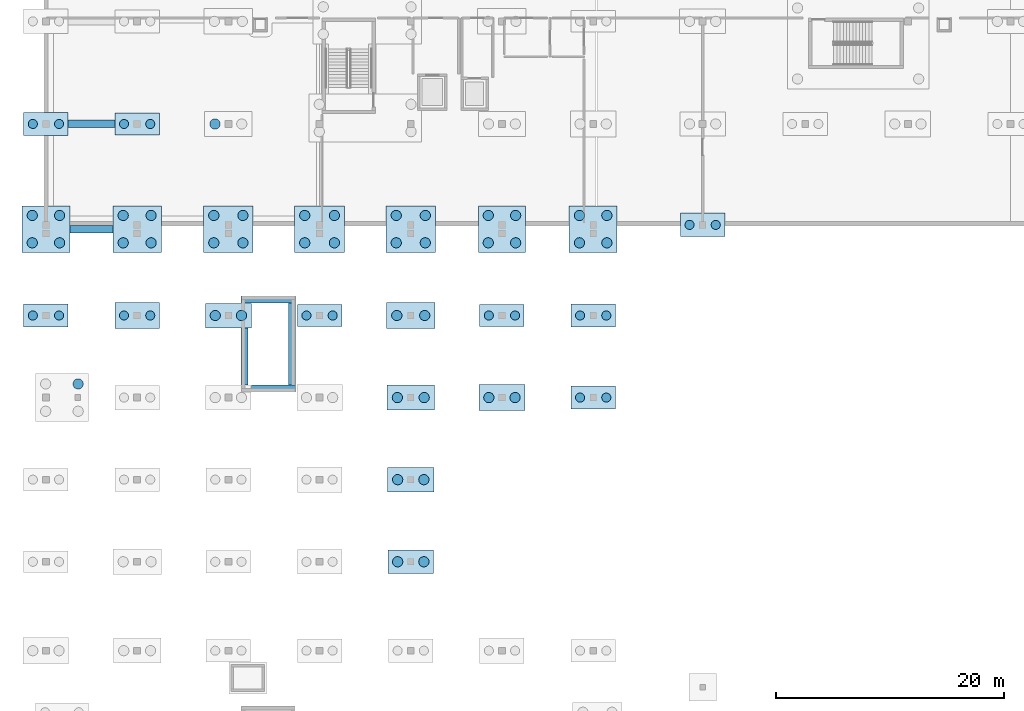
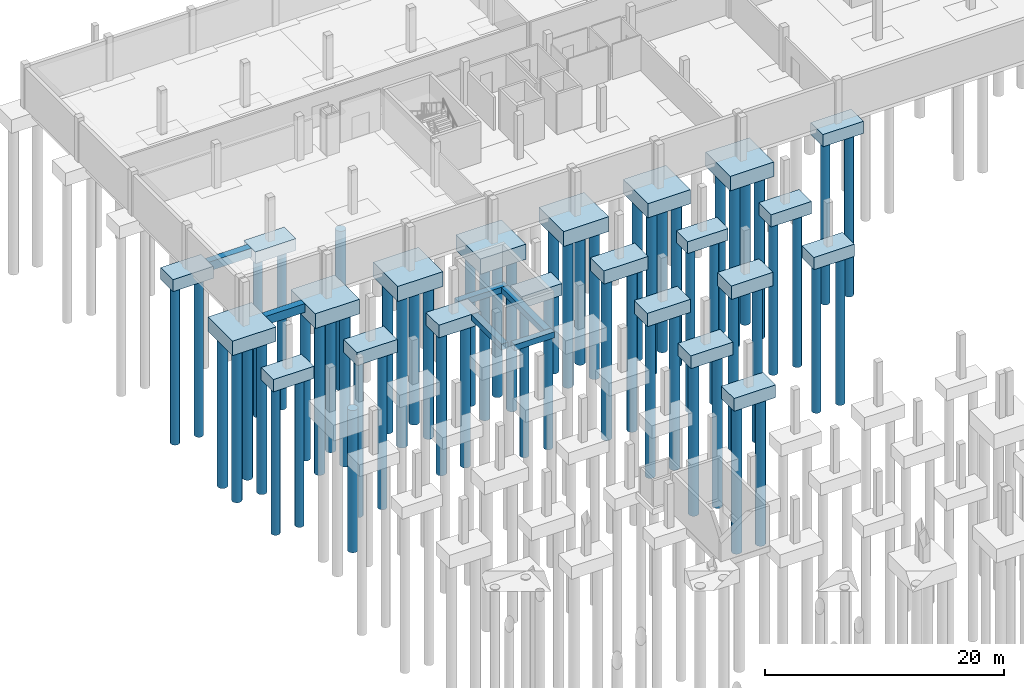
# One storey, part 6 of 36: 60 piles, 28 footings.
"""IFC4 building model written with IfcOpenShell, lengths in metres."""

from ifc_helpers import new_model, si_unit, direction, frame, origin, origin_2d, place, context, subcontext, project, spatial, rectangle, circle, extrude, material, layer, layer_set, material_profile, profile_set, type_object, element, save


model = new_model("IFC4")

# Units and contexts
model_context = context("Model", 3, precision=1e-05, world=origin(), true_north=direction((0.0, 1.0)))
body_context = subcontext(model_context, "Body", "Model", "MODEL_VIEW")
ifc_project = project(units=[si_unit("LENGTHUNIT", "METRE"), si_unit("AREAUNIT", "SQUARE_METRE"), si_unit("VOLUMEUNIT", "CUBIC_METRE"), si_unit("PLANEANGLEUNIT", "RADIAN"), si_unit("MASSUNIT", "GRAM", prefix="KILO")], contexts=[model_context])

# Site, building, storey
site_placement = place(None, origin())
site = spatial("IfcSite", under=ifc_project, at=site_placement, CompositionType="ELEMENT")
building_placement = place(site_placement, origin())
building = spatial("IfcBuilding", under=site, at=building_placement, Name="Chiffa Square Polytechnic", CompositionType="ELEMENT")
storey_placement = place(building_placement, frame((0.0, 0.0, -4.5)))
storey = spatial("IfcBuildingStorey", under=building, at=storey_placement, Name="B1", CompositionType="ELEMENT", Elevation=-4.5)

# Footings
ifc_material = material(Name="Concrete C35/45", Category="concrete")
ifc_layer_1 = layer(ifc_material, 0.885009765625, Name="Concrete C35/45")
ifc_layer_set_1 = layer_set([ifc_layer_1], Name="Concrete C35/45")
footing_type_1 = type_object("IfcFootingType", Name="FTG-BEAM-640X885", PredefinedType="FOOTING_BEAM", material=ifc_layer_set_1)
footing_1_placement = place(storey_placement, frame((3.987060546875, 94.574951171875, -0.88427734375), z_axis=(0.0, 0.0, 1.0), x_axis=(1.0, 0.0, 0.0)))
element("IfcFooting", 1, at=footing_1_placement, inside=storey, type_object=footing_type_1, Name="Footing tie beam FB-B1-046", PredefinedType="FOOTING_BEAM", context=body_context, shape_type="SweptSolid", body=[
    extrude(rectangle(XDim=3.764892578125, YDim=0.639892578125, at=origin_2d()), origin(), (0.0, 0.0, 1.0), 0.885009765625),
])
ifc_layer_2 = layer(ifc_material, 0.909912109375, Name="Concrete C35/45")
ifc_layer_set_2 = layer_set([ifc_layer_2], Name="Concrete C35/45")
footing_type_2 = type_object("IfcFootingType", Name="FTG-BEAM-660X910", PredefinedType="FOOTING_BEAM", material=ifc_layer_set_2)
footing_2_placement = place(storey_placement, frame((4.0, 103.800048828125, -0.91015625), z_axis=(0.0, 0.0, 1.0), x_axis=(1.0, 0.0, 0.0)))
element("IfcFooting", 2, at=footing_2_placement, inside=storey, type_object=footing_type_2, Name="Footing tie beam FB-B1-047", PredefinedType="FOOTING_BEAM", context=body_context, shape_type="SweptSolid", body=[
    extrude(rectangle(XDim=4.090087890625, YDim=0.659912109375, at=origin_2d()), origin(), (0.0, 0.0, 1.0), 0.909912109375),
])
ifc_layer_3 = layer(ifc_material, 0.60009765625, Name="Concrete C35/45")
ifc_layer_set_3 = layer_set([ifc_layer_3], Name="Concrete C35/45")
footing_type_3 = type_object("IfcFootingType", Name="FTG-PAD-3860X620X600", PredefinedType="PAD_FOOTING", material=ifc_layer_set_3)
footing_3_placement = place(storey_placement, frame((19.949951171875, 80.580078125, -0.60009765625), z_axis=(0.0, 0.0, 1.0), x_axis=(1.0, 0.0, 0.0)))
element("IfcFooting", 3, at=footing_3_placement, inside=storey, type_object=footing_type_3, Name="Core pad footing PFG-CORE-CORE-V6B-S1", PredefinedType="PAD_FOOTING", context=body_context, shape_type="SweptSolid", body=[
    extrude(rectangle(XDim=3.860107421875, YDim=0.6201171875, at=origin_2d()), origin(), (0.0, 0.0, 1.0), 0.60009765625),
])
ifc_layer_4 = layer(ifc_material, 0.60009765625, Name="Concrete C35/45")
ifc_layer_set_4 = layer_set([ifc_layer_4], Name="Concrete C35/45")
footing_type_4 = type_object("IfcFootingType", Name="FTG-PAD-4760X620X600", PredefinedType="PAD_FOOTING", material=ifc_layer_set_4)
footing_4_placement = place(storey_placement, frame((19.5, 88.419921875, -0.60009765625), z_axis=(0.0, 0.0, 1.0), x_axis=(1.0, 0.0, 0.0)))
element("IfcFooting", 4, at=footing_4_placement, inside=storey, type_object=footing_type_4, Name="Core pad footing PFG-CORE-CORE-V6B-N1", PredefinedType="PAD_FOOTING", context=body_context, shape_type="SweptSolid", body=[
    extrude(rectangle(XDim=4.760009765625, YDim=0.6201171875, at=origin_2d()), origin(), (0.0, 0.0, 1.0), 0.60009765625),
])
ifc_layer_5 = layer(ifc_material, 0.60009765625, Name="Concrete C35/45")
ifc_layer_set_5 = layer_set([ifc_layer_5], Name="Concrete C35/45")
footing_type_5 = type_object("IfcFootingType", Name="FTG-PAD-620X4995X600", PredefinedType="PAD_FOOTING", material=ifc_layer_set_5)
footing_5_placement = place(storey_placement, frame((17.429931640625, 83.406982421875, -0.60009765625), z_axis=(0.0, 0.0, 1.0), x_axis=(1.0, 0.0, 0.0)))
element("IfcFooting", 5, at=footing_5_placement, inside=storey, type_object=footing_type_5, Name="Core pad footing PFG-CORE-CORE-V6B-W1", PredefinedType="PAD_FOOTING", context=body_context, shape_type="SweptSolid", body=[
    extrude(rectangle(XDim=0.6201171875, YDim=4.9951171875, at=origin_2d()), origin(), (0.0, 0.0, 1.0), 0.60009765625),
])
ifc_layer_6 = layer(ifc_material, 0.60009765625, Name="Concrete C35/45")
ifc_layer_set_6 = layer_set([ifc_layer_6], Name="Concrete C35/45")
footing_type_6 = type_object("IfcFootingType", Name="FTG-PAD-620X7180X600", PredefinedType="PAD_FOOTING", material=ifc_layer_set_6)
footing_6_placement = place(storey_placement, frame((21.570068359375, 84.5, -0.60009765625), z_axis=(0.0, 0.0, 1.0), x_axis=(1.0, 0.0, 0.0)))
element("IfcFooting", 6, at=footing_6_placement, inside=storey, type_object=footing_type_6, Name="Core pad footing PFG-CORE-CORE-V6B-E1", PredefinedType="PAD_FOOTING", context=body_context, shape_type="SweptSolid", body=[
    extrude(rectangle(XDim=0.6201171875, YDim=7.179931640625, at=origin_2d()), origin(), (0.0, 0.0, 1.0), 0.60009765625),
])
ifc_layer_7 = layer(ifc_material, 1.199951171875, Name="Concrete C35/45")
ifc_layer_set_7 = layer_set([ifc_layer_7], Name="Concrete C35/45")
footing_type_7 = type_object("IfcFootingType", Name="FTG-PC-3900X1900X1200", PredefinedType="PILE_CAP", material=ifc_layer_set_7)
for number, where, z_axis, x_axis, name in (
    (7, (24.0, 87.0, -1.2001953125), (0.0, 0.0, 1.0), (1.0, 0.0, 0.0), "Pile cap PC-B1-212"),
    (8, (40.0, 87.0, -1.2001953125), (0.0, 0.0, 1.0), (1.0, 0.0, 0.0), "Pile cap PC-B1-224"),
):
    element("IfcFooting", number, at=place(storey_placement, frame(where, z_axis=z_axis, x_axis=x_axis)), inside=storey, type_object=footing_type_7, Name=name, PredefinedType="PILE_CAP", context=body_context, shape_type="SweptSolid", body=[
        extrude(rectangle(XDim=3.89990234375, YDim=1.89990234375, at=origin_2d()), origin(), (0.0, 0.0, 1.0), 1.199951171875),
    ])
ifc_layer_8 = layer(ifc_material, 1.199951171875, Name="Concrete C35/45")
ifc_layer_set_8 = layer_set([ifc_layer_8], Name="Concrete C35/45")
footing_type_8 = type_object("IfcFootingType", Name="FTG-PC-3900X1950X1200", PredefinedType="PILE_CAP", material=ifc_layer_set_8)
footing_7_placement = place(storey_placement, frame((8.0, 103.800048828125, -1.2001953125), z_axis=(0.0, 0.0, 1.0), x_axis=(1.0, 0.0, 0.0)))
element("IfcFooting", 9, at=footing_7_placement, inside=storey, type_object=footing_type_8, Name="Pile cap PC-B1-118", PredefinedType="PILE_CAP", context=body_context, shape_type="SweptSolid", body=[
    extrude(rectangle(XDim=3.89990234375, YDim=1.949951171875, at=origin_2d()), origin(), (0.0, 0.0, 1.0), 1.199951171875),
])
ifc_layer_9 = layer(ifc_material, 1.25, Name="Concrete C35/45")
ifc_layer_set_9 = layer_set([ifc_layer_9], Name="Concrete C35/45")
footing_type_9 = type_object("IfcFootingType", Name="FTG-PC-3900X2000X1250", PredefinedType="PILE_CAP", material=ifc_layer_set_9)
footing_8_placement = place(storey_placement, frame((48.0, 79.800048828125, -1.25), z_axis=(0.0, 0.0, 1.0), x_axis=(1.0, 0.0, 0.0)))
element("IfcFooting", 10, at=footing_8_placement, inside=storey, type_object=footing_type_9, Name="Pile cap PC-B1-226", PredefinedType="PILE_CAP", context=body_context, shape_type="SweptSolid", body=[
    extrude(rectangle(XDim=3.89990234375, YDim=2.0, at=origin_2d()), origin(), (0.0, 0.0, 1.0), 1.25),
])
ifc_layer_10 = layer(ifc_material, 1.219970703125, Name="Concrete C35/45")
ifc_layer_set_10 = layer_set([ifc_layer_10], Name="Concrete C35/45")
footing_type_10 = type_object("IfcFootingType", Name="FTG-PC-3900X2050X1220", PredefinedType="PILE_CAP", material=ifc_layer_set_10)
footing_9_placement = place(storey_placement, frame((0.0, 103.800048828125, -1.22021484375), z_axis=(0.0, 0.0, 1.0), x_axis=(1.0, 0.0, 0.0)))
element("IfcFooting", 11, at=footing_9_placement, inside=storey, type_object=footing_type_10, Name="Pile cap PC-B1-113", PredefinedType="PILE_CAP", context=body_context, shape_type="SweptSolid", body=[
    extrude(rectangle(XDim=3.89990234375, YDim=2.050048828125, at=origin_2d()), origin(), (0.0, 0.0, 1.0), 1.219970703125),
])
ifc_layer_11 = layer(ifc_material, 1.25, Name="Concrete C35/45")
ifc_layer_set_11 = layer_set([ifc_layer_11], Name="Concrete C35/45")
footing_type_11 = type_object("IfcFootingType", Name="FTG-PC-3900X2050X1250", PredefinedType="PILE_CAP", material=ifc_layer_set_11)
for number, where, z_axis, x_axis, name in (
    (12, (57.60009765625, 94.949951171875, -1.25), (0.0, 0.0, 1.0), (1.0, 0.0, 0.0), "Pile cap PC-B1-144"),
    (13, (0.0, 87.0, -1.25), (0.0, 0.0, 1.0), (1.0, 0.0, 0.0), "Pile cap PC-B1-191"),
    (14, (48.0, 87.0, -1.25), (0.0, 0.0, 1.0), (1.0, 0.0, 0.0), "Pile cap PC-B1-227"),
):
    element("IfcFooting", number, at=place(storey_placement, frame(where, z_axis=z_axis, x_axis=x_axis)), inside=storey, type_object=footing_type_11, Name=name, PredefinedType="PILE_CAP", context=body_context, shape_type="SweptSolid", body=[
        extrude(rectangle(XDim=3.89990234375, YDim=2.050048828125, at=origin_2d()), origin(), (0.0, 0.0, 1.0), 1.25),
    ])
ifc_layer_12 = layer(ifc_material, 1.320068359375, Name="Concrete C35/45")
ifc_layer_set_12 = layer_set([ifc_layer_12], Name="Concrete C35/45")
footing_type_12 = type_object("IfcFootingType", Name="FTG-PC-3900X2250X1320", PredefinedType="PILE_CAP", material=ifc_layer_set_12)
footing_10_placement = place(storey_placement, frame((8.0, 87.0, -1.31982421875), z_axis=(0.0, 0.0, 1.0), x_axis=(1.0, 0.0, 0.0)))
element("IfcFooting", 15, at=footing_10_placement, inside=storey, type_object=footing_type_12, Name="Pile cap PC-B1-198", PredefinedType="PILE_CAP", context=body_context, shape_type="SweptSolid", body=[
    extrude(rectangle(XDim=3.89990234375, YDim=2.25, at=origin_2d()), origin(), (0.0, 0.0, 1.0), 1.320068359375),
])
ifc_layer_13 = layer(ifc_material, 1.300048828125, Name="Concrete C35/45")
ifc_layer_set_13 = layer_set([ifc_layer_13], Name="Concrete C35/45")
footing_type_13 = type_object("IfcFootingType", Name="FTG-PC-4000X2100X1300", PredefinedType="PILE_CAP", material=ifc_layer_set_13)
footing_11_placement = place(storey_placement, frame((32.0, 65.39990234375, -1.2998046875), z_axis=(0.0, 0.0, 1.0), x_axis=(1.0, 0.0, 0.0)))
element("IfcFooting", 16, at=footing_11_placement, inside=storey, type_object=footing_type_13, Name="Pile cap PC-B1-216", PredefinedType="PILE_CAP", context=body_context, shape_type="SweptSolid", body=[
    extrude(rectangle(XDim=4.0, YDim=2.10009765625, at=origin_2d()), origin(), (0.0, 0.0, 1.0), 1.300048828125),
])
ifc_layer_14 = layer(ifc_material, 1.3798828125, Name="Concrete C35/45")
ifc_layer_set_14 = layer_set([ifc_layer_14], Name="Concrete C35/45")
footing_type_14 = type_object("IfcFootingType", Name="FTG-PC-4000X2300X1380", PredefinedType="PILE_CAP", material=ifc_layer_set_14)
footing_12_placement = place(storey_placement, frame((40.0, 79.800048828125, -1.3798828125), z_axis=(0.0, 0.0, 1.0), x_axis=(1.0, 0.0, 0.0)))
element("IfcFooting", 17, at=footing_12_placement, inside=storey, type_object=footing_type_14, Name="Pile cap PC-B1-223", PredefinedType="PILE_CAP", context=body_context, shape_type="SweptSolid", body=[
    extrude(rectangle(XDim=4.0, YDim=2.300048828125, at=origin_2d()), origin(), (0.0, 0.0, 1.0), 1.3798828125),
])
ifc_layer_15 = layer(ifc_material, 1.300048828125, Name="Concrete C35/45")
ifc_layer_set_15 = layer_set([ifc_layer_15], Name="Concrete C35/45")
footing_type_15 = type_object("IfcFootingType", Name="FTG-PC-4050X2150X1300", PredefinedType="PILE_CAP", material=ifc_layer_set_15)
for number, where, z_axis, x_axis, name in (
    (18, (16.0, 87.0, -1.2998046875), (0.0, 0.0, 1.0), (1.0, 0.0, 0.0), "Pile cap PC-B1-205"),
    (19, (32.0, 72.60009765625, -1.2998046875), (0.0, 0.0, 1.0), (1.0, 0.0, 0.0), "Pile cap PC-B1-217"),
):
    element("IfcFooting", number, at=place(storey_placement, frame(where, z_axis=z_axis, x_axis=x_axis)), inside=storey, type_object=footing_type_15, Name=name, PredefinedType="PILE_CAP", context=body_context, shape_type="SweptSolid", body=[
        extrude(rectangle(XDim=4.050048828125, YDim=2.14990234375, at=origin_2d()), origin(), (0.0, 0.0, 1.0), 1.300048828125),
    ])
ifc_layer_16 = layer(ifc_material, 1.449951171875, Name="Concrete C35/45")
ifc_layer_set_16 = layer_set([ifc_layer_16], Name="Concrete C35/45")
footing_type_16 = type_object("IfcFootingType", Name="FTG-PC-4100X4100X1450", PredefinedType="PILE_CAP", material=ifc_layer_set_16)
footing_13_placement = place(storey_placement, frame((40.0, 94.574951171875, -1.4501953125), z_axis=(0.0, 0.0, 1.0), x_axis=(1.0, 0.0, 0.0)))
element("IfcFooting", 20, at=footing_13_placement, inside=storey, type_object=footing_type_16, Name="Pile cap PC-B1-134", PredefinedType="PILE_CAP", context=body_context, shape_type="SweptSolid", body=[
    extrude(rectangle(XDim=4.10009765625, YDim=4.10009765625, at=origin_2d()), origin(), (0.0, 0.0, 1.0), 1.449951171875),
])
ifc_layer_17 = layer(ifc_material, 1.35009765625, Name="Concrete C35/45")
ifc_layer_set_17 = layer_set([ifc_layer_17], Name="Concrete C35/45")
footing_type_17 = type_object("IfcFootingType", Name="FTG-PC-4150X2200X1350", PredefinedType="PILE_CAP", material=ifc_layer_set_17)
footing_14_placement = place(storey_placement, frame((32.0, 79.800048828125, -1.35009765625), z_axis=(0.0, 0.0, 1.0), x_axis=(1.0, 0.0, 0.0)))
element("IfcFooting", 21, at=footing_14_placement, inside=storey, type_object=footing_type_17, Name="Pile cap PC-B1-218", PredefinedType="PILE_CAP", context=body_context, shape_type="SweptSolid", body=[
    extrude(rectangle(XDim=4.14990234375, YDim=2.199951171875, at=origin_2d()), origin(), (0.0, 0.0, 1.0), 1.35009765625),
])
ifc_layer_18 = layer(ifc_material, 1.47998046875, Name="Concrete C35/45")
ifc_layer_set_18 = layer_set([ifc_layer_18], Name="Concrete C35/45")
footing_type_18 = type_object("IfcFootingType", Name="FTG-PC-4200X4100X1480", PredefinedType="PILE_CAP", material=ifc_layer_set_18)
for number, where, z_axis, x_axis, name in (
    (22, (0.0, 94.574951171875, -1.47998046875), (0.0, 0.0, 1.0), (1.0, 0.0, 0.0), "Pile cap PC-B1-112"),
    (23, (48.0, 94.574951171875, -1.47998046875), (0.0, 0.0, 1.0), (1.0, 0.0, 0.0), "Pile cap PC-B1-139"),
):
    element("IfcFooting", number, at=place(storey_placement, frame(where, z_axis=z_axis, x_axis=x_axis)), inside=storey, type_object=footing_type_18, Name=name, PredefinedType="PILE_CAP", context=body_context, shape_type="SweptSolid", body=[
        extrude(rectangle(XDim=4.199951171875, YDim=4.10009765625, at=origin_2d()), origin(), (0.0, 0.0, 1.0), 1.47998046875),
    ])
ifc_layer_19 = layer(ifc_material, 1.35009765625, Name="Concrete C35/45")
ifc_layer_set_19 = layer_set([ifc_layer_19], Name="Concrete C35/45")
footing_type_19 = type_object("IfcFootingType", Name="FTG-PC-4250X2250X1350", PredefinedType="PILE_CAP", material=ifc_layer_set_19)
footing_15_placement = place(storey_placement, frame((32.0, 87.0, -1.35009765625), z_axis=(0.0, 0.0, 1.0), x_axis=(1.0, 0.0, 0.0)))
element("IfcFooting", 24, at=footing_15_placement, inside=storey, type_object=footing_type_19, Name="Pile cap PC-B1-219", PredefinedType="PILE_CAP", context=body_context, shape_type="SweptSolid", body=[
    extrude(rectangle(XDim=4.25, YDim=2.25, at=origin_2d()), origin(), (0.0, 0.0, 1.0), 1.35009765625),
])
ifc_layer_20 = layer(ifc_material, 1.5, Name="Concrete C35/45")
ifc_layer_set_20 = layer_set([ifc_layer_20], Name="Concrete C35/45")
footing_type_20 = type_object("IfcFootingType", Name="FTG-PC-4250X4100X1500", PredefinedType="PILE_CAP", material=ifc_layer_set_20)
footing_16_placement = place(storey_placement, frame((8.0, 94.574951171875, -1.5), z_axis=(0.0, 0.0, 1.0), x_axis=(1.0, 0.0, 0.0)))
element("IfcFooting", 25, at=footing_16_placement, inside=storey, type_object=footing_type_20, Name="Pile cap PC-B1-117", PredefinedType="PILE_CAP", context=body_context, shape_type="SweptSolid", body=[
    extrude(rectangle(XDim=4.25, YDim=4.10009765625, at=origin_2d()), origin(), (0.0, 0.0, 1.0), 1.5),
])
ifc_layer_21 = layer(ifc_material, 1.52001953125, Name="Concrete C35/45")
ifc_layer_set_21 = layer_set([ifc_layer_21], Name="Concrete C35/45")
footing_type_21 = type_object("IfcFootingType", Name="FTG-PC-4350X4100X1520", PredefinedType="PILE_CAP", material=ifc_layer_set_21)
for number, where, z_axis, x_axis, name in (
    (26, (16.0, 94.574951171875, -1.52001953125), (0.0, 0.0, 1.0), (1.0, 0.0, 0.0), "Pile cap PC-B1-122"),
    (27, (32.0, 94.574951171875, -1.52001953125), (0.0, 0.0, 1.0), (1.0, 0.0, 0.0), "Pile cap PC-B1-131"),
):
    element("IfcFooting", number, at=place(storey_placement, frame(where, z_axis=z_axis, x_axis=x_axis)), inside=storey, type_object=footing_type_21, Name=name, PredefinedType="PILE_CAP", context=body_context, shape_type="SweptSolid", body=[
        extrude(rectangle(XDim=4.35009765625, YDim=4.10009765625, at=origin_2d()), origin(), (0.0, 0.0, 1.0), 1.52001953125),
    ])
ifc_layer_22 = layer(ifc_material, 1.550048828125, Name="Concrete C35/45")
ifc_layer_set_22 = layer_set([ifc_layer_22], Name="Concrete C35/45")
footing_type_22 = type_object("IfcFootingType", Name="FTG-PC-4400X4100X1550", PredefinedType="PILE_CAP", material=ifc_layer_set_22)
footing_17_placement = place(storey_placement, frame((24.0, 94.574951171875, -1.5498046875), z_axis=(0.0, 0.0, 1.0), x_axis=(1.0, 0.0, 0.0)))
element("IfcFooting", 28, at=footing_17_placement, inside=storey, type_object=footing_type_22, Name="Pile cap PC-B1-127", PredefinedType="PILE_CAP", context=body_context, shape_type="SweptSolid", body=[
    extrude(rectangle(XDim=4.39990234375, YDim=4.10009765625, at=origin_2d()), origin(), (0.0, 0.0, 1.0), 1.550048828125),
])

# Piles
ifc_material_profile_1 = material_profile(ifc_material, circle(Radius=0.39990234375, at=origin_2d()), Name="PILE D800")
ifc_profile_set_1 = profile_set([ifc_material_profile_1], Name="Concrete C35/45")
pile_type_1 = type_object("IfcPileType", Name="PILE-D800", PredefinedType="BORED", material=ifc_profile_set_1)
for number, where, z_axis, x_axis, name in (
    (29, (-1.14990234375, 103.800048828125, -1.1201171875), (0.0, 0.0, -1.0), (1.0, 0.0, 0.0), "Bored pile PL-B1--012-1038-1"),
    (30, (1.14990234375, 103.800048828125, -1.1201171875), (0.0, 0.0, -1.0), (1.0, 0.0, 0.0), "Bored pile PL-B1-0012-1038-2"),
):
    element("IfcPile", number, at=place(storey_placement, frame(where, z_axis=z_axis, x_axis=x_axis)), inside=storey, type_object=pile_type_1, Name=name, PredefinedType="BORED", context=body_context, shape_type="SweptSolid", body=[
        extrude(circle(Radius=0.39990234375, at=origin_2d()), origin(), (0.0, 0.0, 1.0), 16.3798828125),
    ])
for number, where, z_axis, x_axis, name in (
    (31, (6.85009765625, 103.800048828125, -1.10009765625), (0.0, 0.0, -1.0), (1.0, 0.0, 0.0), "Bored pile PL-B1-0068-1038-1"),
    (32, (9.14990234375, 103.800048828125, -1.10009765625), (0.0, 0.0, -1.0), (1.0, 0.0, 0.0), "Bored pile PL-B1-0092-1038-2"),
):
    element("IfcPile", number, at=place(storey_placement, frame(where, z_axis=z_axis, x_axis=x_axis)), inside=storey, type_object=pile_type_1, Name=name, PredefinedType="BORED", context=body_context, shape_type="SweptSolid", body=[
        extrude(circle(Radius=0.39990234375, at=origin_2d()), origin(), (0.0, 0.0, 1.0), 16.39990234375),
    ])
for number, where, z_axis, x_axis, name in (
    (33, (56.449951171875, 94.949951171875, -1.14990234375), (0.0, 0.0, -1.0), (1.0, 0.0, 0.0), "Bored pile PL-B1-0564-0950-1"),
    (34, (58.75, 94.949951171875, -1.14990234375), (0.0, 0.0, -1.0), (1.0, 0.0, 0.0), "Bored pile PL-B1-0588-0950-2"),
):
    element("IfcPile", number, at=place(storey_placement, frame(where, z_axis=z_axis, x_axis=x_axis)), inside=storey, type_object=pile_type_1, Name=name, PredefinedType="BORED", context=body_context, shape_type="SweptSolid", body=[
        extrude(circle(Radius=0.39990234375, at=origin_2d()), origin(), (0.0, 0.0, 1.0), 16.85009765625),
    ])
for number, where, z_axis, x_axis, name in (
    (35, (-1.14990234375, 87.0, -1.14990234375), (0.0, 0.0, -1.0), (1.0, 0.0, 0.0), "Bored pile PL-B1--012-0870-1"),
    (36, (1.14990234375, 87.0, -1.14990234375), (0.0, 0.0, -1.0), (1.0, 0.0, 0.0), "Bored pile PL-B1-0012-0870-2"),
):
    element("IfcPile", number, at=place(storey_placement, frame(where, z_axis=z_axis, x_axis=x_axis)), inside=storey, type_object=pile_type_1, Name=name, PredefinedType="BORED", context=body_context, shape_type="SweptSolid", body=[
        extrude(circle(Radius=0.39990234375, at=origin_2d()), origin(), (0.0, 0.0, 1.0), 15.35009765625),
    ])
for number, where, z_axis, x_axis, name in (
    (37, (6.85009765625, 87.0, -1.219970703125), (0.0, 0.0, -1.0), (1.0, 0.0, 0.0), "Bored pile PL-B1-0068-0870-1"),
    (38, (9.14990234375, 87.0, -1.219970703125), (0.0, 0.0, -1.0), (1.0, 0.0, 0.0), "Bored pile PL-B1-0092-0870-2"),
):
    element("IfcPile", number, at=place(storey_placement, frame(where, z_axis=z_axis, x_axis=x_axis)), inside=storey, type_object=pile_type_1, Name=name, PredefinedType="BORED", context=body_context, shape_type="SweptSolid", body=[
        extrude(circle(Radius=0.39990234375, at=origin_2d()), origin(), (0.0, 0.0, 1.0), 16.280029296875),
    ])
for number, where, z_axis, x_axis, name in (
    (39, (22.85009765625, 87.0, -1.10009765625), (0.0, 0.0, -1.0), (1.0, 0.0, 0.0), "Bored pile PL-B1-0228-0870-1"),
    (40, (25.14990234375, 87.0, -1.10009765625), (0.0, 0.0, -1.0), (1.0, 0.0, 0.0), "Bored pile PL-B1-0252-0870-2"),
):
    element("IfcPile", number, at=place(storey_placement, frame(where, z_axis=z_axis, x_axis=x_axis)), inside=storey, type_object=pile_type_1, Name=name, PredefinedType="BORED", context=body_context, shape_type="SweptSolid", body=[
        extrude(circle(Radius=0.39990234375, at=origin_2d()), origin(), (0.0, 0.0, 1.0), 15.89990234375),
    ])
for number, where, z_axis, x_axis, name in (
    (41, (38.85009765625, 87.0, -1.10009765625), (0.0, 0.0, -1.0), (1.0, 0.0, 0.0), "Bored pile PL-B1-0388-0870-1"),
    (42, (41.14990234375, 87.0, -1.10009765625), (0.0, 0.0, -1.0), (1.0, 0.0, 0.0), "Bored pile PL-B1-0412-0870-2"),
):
    element("IfcPile", number, at=place(storey_placement, frame(where, z_axis=z_axis, x_axis=x_axis)), inside=storey, type_object=pile_type_1, Name=name, PredefinedType="BORED", context=body_context, shape_type="SweptSolid", body=[
        extrude(circle(Radius=0.39990234375, at=origin_2d()), origin(), (0.0, 0.0, 1.0), 16.89990234375),
    ])
for number, where, z_axis, x_axis, name in (
    (43, (46.85009765625, 79.800048828125, -1.14990234375), (0.0, 0.0, -1.0), (1.0, 0.0, 0.0), "Bored pile PL-B1-0468-0798-1"),
    (44, (49.14990234375, 79.800048828125, -1.14990234375), (0.0, 0.0, -1.0), (1.0, 0.0, 0.0), "Bored pile PL-B1-0492-0798-2"),
):
    element("IfcPile", number, at=place(storey_placement, frame(where, z_axis=z_axis, x_axis=x_axis)), inside=storey, type_object=pile_type_1, Name=name, PredefinedType="BORED", context=body_context, shape_type="SweptSolid", body=[
        extrude(circle(Radius=0.39990234375, at=origin_2d()), origin(), (0.0, 0.0, 1.0), 15.35009765625),
    ])
for number, where, z_axis, x_axis, name in (
    (45, (46.85009765625, 87.0, -1.14990234375), (0.0, 0.0, -1.0), (1.0, 0.0, 0.0), "Bored pile PL-B1-0468-0870-1"),
    (46, (49.14990234375, 87.0, -1.14990234375), (0.0, 0.0, -1.0), (1.0, 0.0, 0.0), "Bored pile PL-B1-0492-0870-2"),
):
    element("IfcPile", number, at=place(storey_placement, frame(where, z_axis=z_axis, x_axis=x_axis)), inside=storey, type_object=pile_type_1, Name=name, PredefinedType="BORED", context=body_context, shape_type="SweptSolid", body=[
        extrude(circle(Radius=0.39990234375, at=origin_2d()), origin(), (0.0, 0.0, 1.0), 15.85009765625),
    ])
ifc_material_profile_2 = material_profile(ifc_material, circle(Radius=0.449951171875, at=origin_2d()), Name="PILE D900")
ifc_profile_set_2 = profile_set([ifc_material_profile_2], Name="Concrete C35/45")
pile_type_2 = type_object("IfcPileType", Name="PILE-D900", PredefinedType="BORED", material=ifc_profile_set_2)
for number, where, z_axis, x_axis, name in (
    (47, (-1.199951171875, 93.375, -1.3798828125), (0.0, 0.0, -1.0), (1.0, 0.0, 0.0), "Bored pile PL-B1--012-0934-1"),
    (48, (1.199951171875, 93.375, -1.3798828125), (0.0, 0.0, -1.0), (1.0, 0.0, 0.0), "Bored pile PL-B1-0012-0934-2"),
    (49, (-1.199951171875, 95.77490234375, -1.3798828125), (0.0, 0.0, -1.0), (1.0, 0.0, 0.0), "Bored pile PL-B1--012-0958-3"),
    (50, (1.199951171875, 95.77490234375, -1.3798828125), (0.0, 0.0, -1.0), (1.0, 0.0, 0.0), "Bored pile PL-B1-0012-0958-4"),
):
    element("IfcPile", number, at=place(storey_placement, frame(where, z_axis=z_axis, x_axis=x_axis)), inside=storey, type_object=pile_type_2, Name=name, PredefinedType="BORED", context=body_context, shape_type="SweptSolid", body=[
        extrude(circle(Radius=0.449951171875, at=origin_2d()), origin(), (0.0, 0.0, 1.0), 15.6201171875),
    ])
for number, where, z_axis, x_axis, name in (
    (51, (6.77490234375, 93.375, -1.39990234375), (0.0, 0.0, -1.0), (1.0, 0.0, 0.0), "Bored pile PL-B1-0068-0934-1"),
    (52, (9.22509765625, 93.375, -1.39990234375), (0.0, 0.0, -1.0), (1.0, 0.0, 0.0), "Bored pile PL-B1-0092-0934-2"),
    (53, (6.77490234375, 95.77490234375, -1.39990234375), (0.0, 0.0, -1.0), (1.0, 0.0, 0.0), "Bored pile PL-B1-0068-0958-3"),
    (54, (9.22509765625, 95.77490234375, -1.39990234375), (0.0, 0.0, -1.0), (1.0, 0.0, 0.0), "Bored pile PL-B1-0092-0958-4"),
):
    element("IfcPile", number, at=place(storey_placement, frame(where, z_axis=z_axis, x_axis=x_axis)), inside=storey, type_object=pile_type_2, Name=name, PredefinedType="BORED", context=body_context, shape_type="SweptSolid", body=[
        extrude(circle(Radius=0.449951171875, at=origin_2d()), origin(), (0.0, 0.0, 1.0), 15.60009765625),
    ])
for number, where, z_axis, x_axis, name in (
    (55, (14.72509765625, 93.375, -1.419921875), (0.0, 0.0, -1.0), (1.0, 0.0, 0.0), "Bored pile PL-B1-0147-0934-1"),
    (56, (17.27490234375, 93.375, -1.419921875), (0.0, 0.0, -1.0), (1.0, 0.0, 0.0), "Bored pile PL-B1-0173-0934-2"),
    (57, (14.72509765625, 95.77490234375, -1.419921875), (0.0, 0.0, -1.0), (1.0, 0.0, 0.0), "Bored pile PL-B1-0147-0958-3"),
    (58, (17.27490234375, 95.77490234375, -1.419921875), (0.0, 0.0, -1.0), (1.0, 0.0, 0.0), "Bored pile PL-B1-0173-0958-4"),
):
    element("IfcPile", number, at=place(storey_placement, frame(where, z_axis=z_axis, x_axis=x_axis)), inside=storey, type_object=pile_type_2, Name=name, PredefinedType="BORED", context=body_context, shape_type="SweptSolid", body=[
        extrude(circle(Radius=0.449951171875, at=origin_2d()), origin(), (0.0, 0.0, 1.0), 15.580078125),
    ])
pile_1_placement = place(storey_placement, frame((14.824951171875, 103.800048828125, -1.25), z_axis=(0.0, 0.0, -1.0), x_axis=(1.0, 0.0, 0.0)))
element("IfcPile", 59, at=pile_1_placement, inside=storey, type_object=pile_type_2, Name="Bored pile PL-B1-0148-1038-1", PredefinedType="BORED", context=body_context, shape_type="SweptSolid", body=[
    extrude(circle(Radius=0.449951171875, at=origin_2d()), origin(), (0.0, 0.0, 1.0), 16.25),
])
for number, where, z_axis, x_axis, name in (
    (60, (22.699951171875, 93.375, -1.449951171875), (0.0, 0.0, -1.0), (1.0, 0.0, 0.0), "Bored pile PL-B1-0227-0934-1"),
    (61, (25.300048828125, 93.375, -1.449951171875), (0.0, 0.0, -1.0), (1.0, 0.0, 0.0), "Bored pile PL-B1-0253-0934-2"),
    (62, (22.699951171875, 95.77490234375, -1.449951171875), (0.0, 0.0, -1.0), (1.0, 0.0, 0.0), "Bored pile PL-B1-0227-0958-3"),
    (63, (25.300048828125, 95.77490234375, -1.449951171875), (0.0, 0.0, -1.0), (1.0, 0.0, 0.0), "Bored pile PL-B1-0253-0958-4"),
):
    element("IfcPile", number, at=place(storey_placement, frame(where, z_axis=z_axis, x_axis=x_axis)), inside=storey, type_object=pile_type_2, Name=name, PredefinedType="BORED", context=body_context, shape_type="SweptSolid", body=[
        extrude(circle(Radius=0.449951171875, at=origin_2d()), origin(), (0.0, 0.0, 1.0), 15.550048828125),
    ])
for number, where, z_axis, x_axis, name in (
    (64, (30.72509765625, 93.375, -1.419921875), (0.0, 0.0, -1.0), (1.0, 0.0, 0.0), "Bored pile PL-B1-0307-0934-1"),
    (65, (33.27490234375, 93.375, -1.419921875), (0.0, 0.0, -1.0), (1.0, 0.0, 0.0), "Bored pile PL-B1-0333-0934-2"),
    (66, (30.72509765625, 95.77490234375, -1.419921875), (0.0, 0.0, -1.0), (1.0, 0.0, 0.0), "Bored pile PL-B1-0307-0958-3"),
    (67, (33.27490234375, 95.77490234375, -1.419921875), (0.0, 0.0, -1.0), (1.0, 0.0, 0.0), "Bored pile PL-B1-0333-0958-4"),
):
    element("IfcPile", number, at=place(storey_placement, frame(where, z_axis=z_axis, x_axis=x_axis)), inside=storey, type_object=pile_type_2, Name=name, PredefinedType="BORED", context=body_context, shape_type="SweptSolid", body=[
        extrude(circle(Radius=0.449951171875, at=origin_2d()), origin(), (0.0, 0.0, 1.0), 15.080078125),
    ])
for number, where, z_axis, x_axis, name in (
    (68, (38.800048828125, 93.375, -1.35009765625), (0.0, 0.0, -1.0), (1.0, 0.0, 0.0), "Bored pile PL-B1-0388-0934-1"),
    (69, (41.199951171875, 93.375, -1.35009765625), (0.0, 0.0, -1.0), (1.0, 0.0, 0.0), "Bored pile PL-B1-0412-0934-2"),
    (70, (38.800048828125, 95.77490234375, -1.35009765625), (0.0, 0.0, -1.0), (1.0, 0.0, 0.0), "Bored pile PL-B1-0388-0958-3"),
    (71, (41.199951171875, 95.77490234375, -1.35009765625), (0.0, 0.0, -1.0), (1.0, 0.0, 0.0), "Bored pile PL-B1-0412-0958-4"),
):
    element("IfcPile", number, at=place(storey_placement, frame(where, z_axis=z_axis, x_axis=x_axis)), inside=storey, type_object=pile_type_2, Name=name, PredefinedType="BORED", context=body_context, shape_type="SweptSolid", body=[
        extrude(circle(Radius=0.449951171875, at=origin_2d()), origin(), (0.0, 0.0, 1.0), 16.64990234375),
    ])
for number, where, z_axis, x_axis, name in (
    (72, (46.800048828125, 93.375, -1.3798828125), (0.0, 0.0, -1.0), (1.0, 0.0, 0.0), "Bored pile PL-B1-0468-0934-1"),
    (73, (49.199951171875, 93.375, -1.3798828125), (0.0, 0.0, -1.0), (1.0, 0.0, 0.0), "Bored pile PL-B1-0492-0934-2"),
    (74, (46.800048828125, 95.77490234375, -1.3798828125), (0.0, 0.0, -1.0), (1.0, 0.0, 0.0), "Bored pile PL-B1-0468-0958-3"),
    (75, (49.199951171875, 95.77490234375, -1.3798828125), (0.0, 0.0, -1.0), (1.0, 0.0, 0.0), "Bored pile PL-B1-0492-0958-4"),
):
    element("IfcPile", number, at=place(storey_placement, frame(where, z_axis=z_axis, x_axis=x_axis)), inside=storey, type_object=pile_type_2, Name=name, PredefinedType="BORED", context=body_context, shape_type="SweptSolid", body=[
        extrude(circle(Radius=0.449951171875, at=origin_2d()), origin(), (0.0, 0.0, 1.0), 16.6201171875),
    ])
pile_2_placement = place(storey_placement, frame((2.824951171875, 81.0, -1.5), z_axis=(0.0, 0.0, -1.0), x_axis=(1.0, 0.0, 0.0)))
element("IfcPile", 76, at=pile_2_placement, inside=storey, type_object=pile_type_2, Name="Bored pile PL-B1-0028-0810-4", PredefinedType="BORED", context=body_context, shape_type="SweptSolid", body=[
    extrude(circle(Radius=0.449951171875, at=origin_2d()), origin(), (0.0, 0.0, 1.0), 14.5),
])
for number, where, z_axis, x_axis, name in (
    (77, (14.85009765625, 87.0, -1.199951171875), (0.0, 0.0, -1.0), (1.0, 0.0, 0.0), "Bored pile PL-B1-0148-0870-1"),
    (78, (17.14990234375, 87.0, -1.199951171875), (0.0, 0.0, -1.0), (1.0, 0.0, 0.0), "Bored pile PL-B1-0172-0870-2"),
):
    element("IfcPile", number, at=place(storey_placement, frame(where, z_axis=z_axis, x_axis=x_axis)), inside=storey, type_object=pile_type_2, Name=name, PredefinedType="BORED", context=body_context, shape_type="SweptSolid", body=[
        extrude(circle(Radius=0.449951171875, at=origin_2d()), origin(), (0.0, 0.0, 1.0), 14.800048828125),
    ])
for number, where, z_axis, x_axis, name in (
    (79, (30.85009765625, 65.39990234375, -1.199951171875), (0.0, 0.0, -1.0), (1.0, 0.0, 0.0), "Bored pile PL-B1-0308-0654-1"),
    (80, (33.14990234375, 65.39990234375, -1.199951171875), (0.0, 0.0, -1.0), (1.0, 0.0, 0.0), "Bored pile PL-B1-0332-0654-2"),
):
    element("IfcPile", number, at=place(storey_placement, frame(where, z_axis=z_axis, x_axis=x_axis)), inside=storey, type_object=pile_type_2, Name=name, PredefinedType="BORED", context=body_context, shape_type="SweptSolid", body=[
        extrude(circle(Radius=0.449951171875, at=origin_2d()), origin(), (0.0, 0.0, 1.0), 15.300048828125),
    ])
for number, where, z_axis, x_axis, name in (
    (81, (30.85009765625, 72.60009765625, -1.199951171875), (0.0, 0.0, -1.0), (1.0, 0.0, 0.0), "Bored pile PL-B1-0308-0726-1"),
    (82, (33.14990234375, 72.60009765625, -1.199951171875), (0.0, 0.0, -1.0), (1.0, 0.0, 0.0), "Bored pile PL-B1-0332-0726-2"),
):
    element("IfcPile", number, at=place(storey_placement, frame(where, z_axis=z_axis, x_axis=x_axis)), inside=storey, type_object=pile_type_2, Name=name, PredefinedType="BORED", context=body_context, shape_type="SweptSolid", body=[
        extrude(circle(Radius=0.449951171875, at=origin_2d()), origin(), (0.0, 0.0, 1.0), 15.800048828125),
    ])
for number, where, z_axis, x_axis, name in (
    (83, (30.824951171875, 79.800048828125, -1.25), (0.0, 0.0, -1.0), (1.0, 0.0, 0.0), "Bored pile PL-B1-0308-0798-1"),
    (84, (33.175048828125, 79.800048828125, -1.25), (0.0, 0.0, -1.0), (1.0, 0.0, 0.0), "Bored pile PL-B1-0332-0798-2"),
):
    element("IfcPile", number, at=place(storey_placement, frame(where, z_axis=z_axis, x_axis=x_axis)), inside=storey, type_object=pile_type_2, Name=name, PredefinedType="BORED", context=body_context, shape_type="SweptSolid", body=[
        extrude(circle(Radius=0.449951171875, at=origin_2d()), origin(), (0.0, 0.0, 1.0), 16.25),
    ])
for number, where, z_axis, x_axis, name in (
    (85, (30.77490234375, 87.0, -1.25), (0.0, 0.0, -1.0), (1.0, 0.0, 0.0), "Bored pile PL-B1-0308-0870-1"),
    (86, (33.22509765625, 87.0, -1.25), (0.0, 0.0, -1.0), (1.0, 0.0, 0.0), "Bored pile PL-B1-0332-0870-2"),
):
    element("IfcPile", number, at=place(storey_placement, frame(where, z_axis=z_axis, x_axis=x_axis)), inside=storey, type_object=pile_type_2, Name=name, PredefinedType="BORED", context=body_context, shape_type="SweptSolid", body=[
        extrude(circle(Radius=0.449951171875, at=origin_2d()), origin(), (0.0, 0.0, 1.0), 16.75),
    ])
for number, where, z_axis, x_axis, name in (
    (87, (38.85009765625, 79.800048828125, -1.280029296875), (0.0, 0.0, -1.0), (1.0, 0.0, 0.0), "Bored pile PL-B1-0388-0798-1"),
    (88, (41.14990234375, 79.800048828125, -1.280029296875), (0.0, 0.0, -1.0), (1.0, 0.0, 0.0), "Bored pile PL-B1-0412-0798-2"),
):
    element("IfcPile", number, at=place(storey_placement, frame(where, z_axis=z_axis, x_axis=x_axis)), inside=storey, type_object=pile_type_2, Name=name, PredefinedType="BORED", context=body_context, shape_type="SweptSolid", body=[
        extrude(circle(Radius=0.449951171875, at=origin_2d()), origin(), (0.0, 0.0, 1.0), 16.219970703125),
    ])

save(model, "model.ifc")
